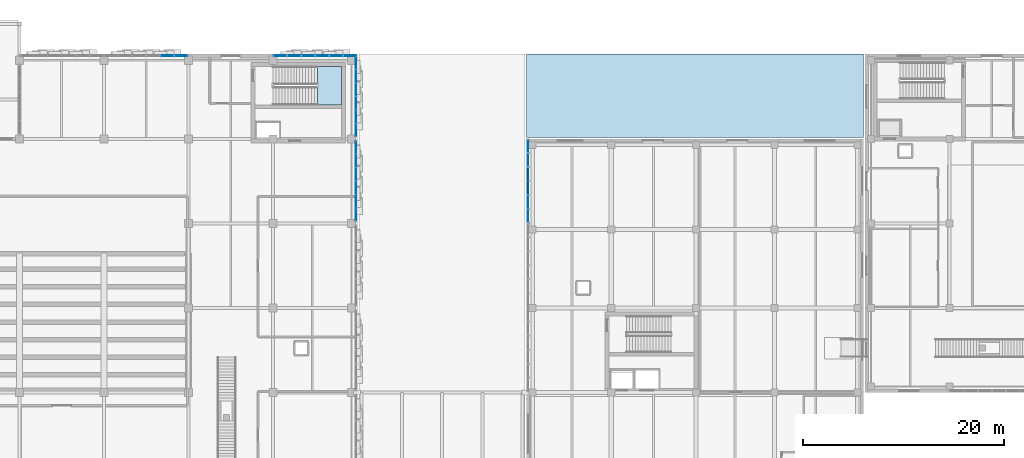
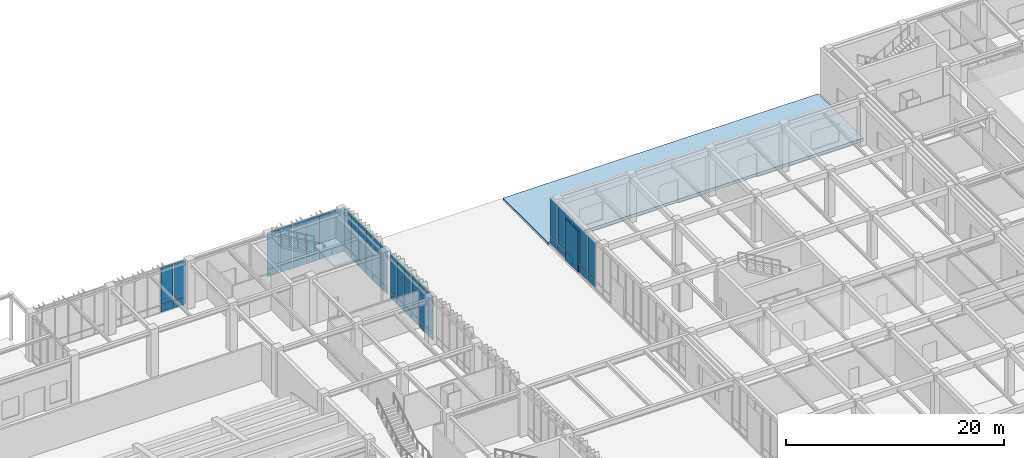
# One storey, part 87 of 122: 53 plates, 2 slabs, 6 elements without a shape of their own.
"""IFC4 building model written with IfcOpenShell, lengths in metres."""

import ifcopenshell
import ifcopenshell.guid

model = None  # the IFC model being written
_history = None  # IfcOwnerHistory: only IFC2X3 demands one
_inside = {}  # id of a spatial element -> (the spatial element, [elements in it])
_under = {}  # id of a project, library or spatial element -> (it, [spatial elements below it])
_declared = {}  # id of a project -> (the project, [libraries it declares])
_typed = {}  # id of a type object -> (the type object, [elements of that type])
_made_of = {}  # id of a material, layer set ... -> (it, [elements and type objects made of it])


def new_model(schema):
    """Start an empty IFC model of exactly this schema.

    Asked for "IFC4X3", IfcOpenShell would pick the latest addendum, in which some entities
    have other attributes; the version numbers below select the first issue.
    IFC2X3 requires an IfcOwnerHistory on every rooted entity: one is made here for all.
    """
    global model, _history
    if schema == "IFC4X3":
        model = ifcopenshell.file(schema_version=(4, 3, 0, 0))
    else:
        model = ifcopenshell.file(schema=schema)
    _inside.clear()
    _under.clear()
    _declared.clear()
    _typed.clear()
    _made_of.clear()
    _history = None
    if model.schema == "IFC2X3":
        org = make("IfcOrganization", Name="unknown")
        user = make(
            "IfcPersonAndOrganization",
            ThePerson=make("IfcPerson", FamilyName="unknown"),
            TheOrganization=org,
        )
        app = make(
            "IfcApplication",
            ApplicationDeveloper=org,
            Version="unknown",
            ApplicationFullName="unknown",
            ApplicationIdentifier="unknown",
        )
        _history = make(
            "IfcOwnerHistory",
            OwningUser=user,
            OwningApplication=app,
            ChangeAction="ADDED",
            CreationDate=0,
        )
    return model


def make(cls, **values):
    """One entity of the class cls with the attributes given. An attribute that is None is left unset."""
    return model.create_entity(
        cls, **{name: value for name, value in values.items() if value is not None}
    )


def rooted(cls, **values):
    """An entity with a GlobalId (a new one), such as an element, a storey or a relation."""
    return make(cls, GlobalId=ifcopenshell.guid.new(), OwnerHistory=_history, **values)


def si_unit(unit_type, name, prefix=None):
    """IfcSIUnit, for example si_unit("LENGTHUNIT", "METRE", prefix="MILLI")."""
    return make("IfcSIUnit", UnitType=unit_type, Prefix=prefix, Name=name)


def assignment(units):
    """IfcUnitAssignment: the units of a project."""
    return None if units is None else make("IfcUnitAssignment", Units=units)


def point(xyz):
    """IfcCartesianPoint."""
    return None if xyz is None else make("IfcCartesianPoint", Coordinates=xyz)


def direction(xyz):
    """IfcDirection."""
    return None if xyz is None else make("IfcDirection", DirectionRatios=xyz)


def frame(location, z_axis=None, x_axis=None):
    """IfcAxis2Placement3D, a coordinate frame: its origin and axes. An axis left out is left unset."""
    return make(
        "IfcAxis2Placement3D",
        Location=point(location),
        Axis=direction(z_axis),
        RefDirection=direction(x_axis),
    )


def frame_2d(location, x_axis=None):
    """IfcAxis2Placement2D, a coordinate frame in the plane: its origin and x axis."""
    return make(
        "IfcAxis2Placement2D", Location=point(location), RefDirection=direction(x_axis)
    )


def origin():
    """The frame at (0, 0, 0) with its axes left unset."""
    return frame((0.0, 0.0, 0.0))


def origin_2d():
    """The frame at (0, 0) in the plane with its x axis left unset."""
    return frame_2d((0.0, 0.0))


def place(relative_to, where):
    """IfcLocalPlacement: puts the frame where relative to a parent placement (None: the world)."""
    return make(
        "IfcLocalPlacement", PlacementRelTo=relative_to, RelativePlacement=where
    )


def context(
    kind, dimensions, precision=None, world=None, true_north=None, identifier=None
):
    """IfcGeometricRepresentationContext, for example the 3D "Model" context."""
    return make(
        "IfcGeometricRepresentationContext",
        ContextIdentifier=identifier,
        ContextType=kind,
        CoordinateSpaceDimension=dimensions,
        Precision=precision,
        WorldCoordinateSystem=world,
        TrueNorth=true_north,
    )


def subcontext(parent, identifier, kind, view, scale=None):
    """IfcGeometricRepresentationSubContext, for example "Body" below "Model"."""
    return make(
        "IfcGeometricRepresentationSubContext",
        ContextIdentifier=identifier,
        ContextType=kind,
        ParentContext=parent,
        TargetScale=scale,
        TargetView=view,
    )


def project(units=None, contexts=None):
    """IfcProject with its units and contexts."""
    return rooted(
        "IfcProject",
        Name="project",
        RepresentationContexts=contexts,
        UnitsInContext=assignment(units),
    )


def spatial(cls, under=None, at=None, **own):
    """A site, building, storey or space (cls), placed at a placement, below another one or the project."""
    s = rooted(cls, ObjectPlacement=at, **own)
    if under is not None:
        _under.setdefault(under.id(), (under, []))[1].append(s)
    return s


def polyline(points):
    """IfcPolyline through the points."""
    return make("IfcPolyline", Points=[point(p) for p in points])


def profile(cls, at=None, kind="AREA", **sizes):
    """A parametric profile (cls). Its sizes go by their IFC names, for example OverallWidth=200.0."""
    return make(cls, ProfileType=kind, Position=at, **sizes)


def rectangle(**sizes):
    """IfcRectangleProfileDef."""
    return profile("IfcRectangleProfileDef", **sizes)


def outline(outer, holes=None, kind="AREA"):
    """IfcArbitraryClosedProfileDef: a profile drawn as a closed curve; with holes, ...WithVoids."""
    if holes is None:
        return make("IfcArbitraryClosedProfileDef", ProfileType=kind, OuterCurve=outer)
    return make(
        "IfcArbitraryProfileDefWithVoids",
        ProfileType=kind,
        OuterCurve=outer,
        InnerCurves=holes,
    )


def extrude(swept, where, along, depth):
    """IfcExtrudedAreaSolid: the profile swept, set in the frame where, extruded along a direction by depth."""
    return make(
        "IfcExtrudedAreaSolid",
        SweptArea=swept,
        Position=where,
        ExtrudedDirection=direction(along),
        Depth=depth,
    )


def shape(context_of_items, identifier, shape_type, items):
    """IfcShapeRepresentation: the items that make up one representation, for example the "Body"."""
    return make(
        "IfcShapeRepresentation",
        ContextOfItems=context_of_items,
        RepresentationIdentifier=identifier,
        RepresentationType=shape_type,
        Items=items,
    )


def material(Name=None, Category=None):
    """IfcMaterial."""
    return make("IfcMaterial", Name=Name, Category=Category)


def layer(
    of_material, thickness, ventilated=None, Name=None, Category=None, Priority=None
):
    """IfcMaterialLayer: one layer of a wall or slab, of a material (None: an air gap)."""
    return make(
        "IfcMaterialLayer",
        Material=of_material,
        LayerThickness=thickness,
        IsVentilated=ventilated,
        Name=Name,
        Category=Category,
        Priority=Priority,
    )


def layer_set(layers, Name=None):
    """IfcMaterialLayerSet."""
    return make("IfcMaterialLayerSet", MaterialLayers=layers, LayerSetName=Name)


def made_of(thing, what):
    """Note that an element or type object is made of a material, layer set ...; save() writes the relation."""
    if what is not None:
        _made_of.setdefault(what.id(), (what, []))[1].append(thing)
    return thing


def type_object(cls, material=None, **own):
    """A type object (cls), such as IfcWallType, which elements share."""
    return made_of(rooted(cls, **own), material)


def element(
    cls,
    number,
    at=None,
    inside=None,
    cuts=None,
    type_object=None,
    material=None,
    context=None,
    identifier="Body",
    shape_type=None,
    held_by="IfcProductDefinitionShape",
    body=None,
    shapes=None,
    **own,
):
    """One element of the class cls, such as IfcWall. Its Tag is "e" and its number.

    at: its placement. inside: the storey or other place that contains it. cuts: it is an
    opening in that element (IfcRelVoidsElement). A single representation is given by context,
    identifier, shape_type and body (its items); several are given by shapes. held_by: the class
    of the entity that holds the representations. save() writes the other relations.
    """
    e = rooted(cls, Tag="e%d" % number, ObjectPlacement=at, **own)
    if body is not None:
        shapes = [shape(context, identifier, shape_type, body)]
    if shapes is not None:
        e.Representation = make(held_by, Representations=shapes)
    if inside is not None:
        _inside.setdefault(inside.id(), (inside, []))[1].append(e)
    if cuts is not None:
        rooted(
            "IfcRelVoidsElement", RelatingBuildingElement=cuts, RelatedOpeningElement=e
        )
    if type_object is not None:
        _typed.setdefault(type_object.id(), (type_object, []))[1].append(e)
    return made_of(e, material)


def aggregate(whole, parts):
    """IfcRelAggregates: a whole, such as a stair, and the parts it consists of."""
    return rooted("IfcRelAggregates", RelatingObject=whole, RelatedObjects=parts)


def save(model, path):
    """Write the relations noted so far, then the file.

    IfcRelAggregates (storeys below a building ...), IfcRelContainedInSpatialStructure (elements
    in a storey), IfcRelDefinesByType, IfcRelAssociatesMaterial and IfcRelDeclares: one each for
    every whole, place, type object, material and project.
    """
    for whole, parts in _under.values():
        aggregate(whole, parts)
    for where, things in _inside.values():
        rooted(
            "IfcRelContainedInSpatialStructure",
            RelatedElements=things,
            RelatingStructure=where,
        )
    for kind, things in _typed.values():
        rooted("IfcRelDefinesByType", RelatedObjects=things, RelatingType=kind)
    for what, things in _made_of.values():
        rooted("IfcRelAssociatesMaterial", RelatedObjects=things, RelatingMaterial=what)
    for by, libraries in _declared.values():
        rooted("IfcRelDeclares", RelatingContext=by, RelatedDefinitions=libraries)
    model.write(path)


model = new_model("IFC4")

# Units and contexts
model_context = context("Model", 3, precision=1e-05, world=origin(), true_north=direction((0.0, 1.0)))
body_context = subcontext(model_context, "Body", "Model", "MODEL_VIEW")
ifc_project = project(units=[si_unit("LENGTHUNIT", "METRE"), si_unit("AREAUNIT", "SQUARE_METRE"), si_unit("VOLUMEUNIT", "CUBIC_METRE"), si_unit("PLANEANGLEUNIT", "RADIAN"), si_unit("MASSUNIT", "GRAM", prefix="KILO")], contexts=[model_context])

# Site, building, storey
site_placement = place(None, origin())
site = spatial("IfcSite", under=ifc_project, at=site_placement, CompositionType="ELEMENT")
building_placement = place(site_placement, origin())
building = spatial("IfcBuilding", under=site, at=building_placement, Name="Zayran Congress Hotel", CompositionType="ELEMENT")
storey_placement = place(building_placement, origin())
storey = spatial("IfcBuildingStorey", under=building, at=storey_placement, Name="L00", CompositionType="ELEMENT", Elevation=0.0)

# Slab
ifc_material_1 = material(Name="Concrete C32/40", Category="concrete")
ifc_layer_1 = layer(ifc_material_1, 0.320068359375)
ifc_layer_set_1 = layer_set([ifc_layer_1], Name="Concrete C32/40")
slab_type_1 = type_object("IfcSlabType", Name="SL-PD-320", PredefinedType="FLOOR", material=ifc_layer_set_1)
slab_1_placement = place(storey_placement, frame((0.0, 0.0, -0.320068359375)))
element("IfcSlab", 1, at=slab_1_placement, inside=storey, type_object=slab_type_1, Name="North Court Grade Paving Slab", PredefinedType="BASESLAB", context=body_context, shape_type="SweptSolid", body=[
    extrude(outline(polyline([(109.199951171875, 109.75), (142.64990234375, 109.75), (142.64990234375, 118.0), (109.199951171875, 118.0), (109.199951171875, 109.75)])), origin(), (0.0, 0.0, 1.0), 0.320068359375),
])

# Plate
ifc_material_2 = material(Name="Ajlun reconstituted limestone claustra", Category="masonry")
ifc_layer_2 = layer(ifc_material_2, 0.139892578125)
ifc_layer_set_2 = layer_set([ifc_layer_2], Name="Ajlun reconstituted limestone claustra")
plate_type_1 = type_object("IfcPlateType", Name="TP-CLS-01", PredefinedType="USERDEFINED", material=ifc_layer_set_2)
plate_1_placement = place(storey_placement, frame((109.280029296875, 105.408935546875, 0.0), z_axis=(0.0, 0.0, 1.0), x_axis=(0.0, 1.0, 0.0)))
element("IfcPlate", 2, at=plate_1_placement, inside=storey, type_object=plate_type_1, Name="Pierced Claustra Screen 16", ObjectType="CLAUSTRA SCREEN", PredefinedType="USERDEFINED", context=body_context, shape_type="SweptSolid", body=[
    extrude(rectangle(XDim=2.39990234375, YDim=0.139892578125, at=origin_2d()), origin(), (0.0, 0.0, 1.0), 4.60009765625),
])

# Curtain wall, plates
ifc_material_3 = material(Name="Anodised aluminium and low-E insulated glass", Category="aluminium")
ifc_layer_3 = layer(ifc_material_3, 0.179931640625)
ifc_layer_set_3 = layer_set([ifc_layer_3], Name="Anodised aluminium and low-E insulated glass")
curtain_wall_type_1 = type_object("IfcCurtainWallType", Name="CW-V1N-L00-CW-22-8360-5080", PredefinedType="USERDEFINED", material=ifc_layer_set_3)
curtain_wall_1_placement = place(storey_placement, origin())
curtain_wall_1 = element("IfcCurtainWall", 3, at=curtain_wall_1_placement, inside=storey, type_object=curtain_wall_type_1, Name="CW-V1N-L00-7", ObjectType="CURTAIN WALL", PredefinedType="USERDEFINED")
ifc_layer_4 = layer(ifc_material_3, 0.028076171875)
ifc_layer_set_4 = layer_set([ifc_layer_4], Name="Anodised aluminium and low-E insulated glass")
plate_type_2 = type_object("IfcPlateType", Name="CWP-GL-1273-4150", PredefinedType="CURTAIN_PANEL", material=ifc_layer_set_4)
plate_2_placement = place(storey_placement, frame((74.86328125, 117.85009765625, 0.8701171875), z_axis=(0.0, 0.0, 1.0), x_axis=(1.0, 0.0, 0.0)))
plate_2 = element("IfcPlate", 4, at=plate_2_placement, type_object=plate_type_2, Name="CW-22 Glazed Panel 1", PredefinedType="CURTAIN_PANEL", context=body_context, shape_type="SweptSolid", body=[
    extrude(rectangle(XDim=1.273193359375, YDim=0.028076171875, at=origin_2d()), origin(), (0.0, 0.0, 1.0), 4.14990234375),
])
plate_3_placement = place(storey_placement, frame((73.489990234375, 117.85009765625, 0.8701171875), z_axis=(0.0, 0.0, 1.0), x_axis=(1.0, 0.0, 0.0)))
plate_3 = element("IfcPlate", 5, at=plate_3_placement, type_object=plate_type_2, Name="CW-22 Glazed Panel 2", PredefinedType="CURTAIN_PANEL", context=body_context, shape_type="SweptSolid", body=[
    extrude(rectangle(XDim=1.313232421875, YDim=0.028076171875, at=origin_2d()), origin(), (0.0, 0.0, 1.0), 4.14990234375),
])

ifc_layer_5 = layer(ifc_material_3, 0.179931640625)
ifc_layer_set_5 = layer_set([ifc_layer_5], Name="Anodised aluminium and low-E insulated glass")
curtain_wall_type_2 = type_object("IfcCurtainWallType", Name="CW-V1N-L00-CW-21-8360-5080", PredefinedType="USERDEFINED", material=ifc_layer_set_5)
curtain_wall_2_placement = place(storey_placement, origin())
curtain_wall_2 = element("IfcCurtainWall", 6, at=curtain_wall_2_placement, inside=storey, type_object=curtain_wall_type_2, Name="CW-V1N-L00-9", ObjectType="CURTAIN WALL", PredefinedType="USERDEFINED")
plate_4_placement = place(storey_placement, frame((91.663330078125, 117.85009765625, 0.8701171875), z_axis=(0.0, 0.0, 1.0), x_axis=(1.0, 0.0, 0.0)))
plate_4 = element("IfcPlate", 7, at=plate_4_placement, type_object=plate_type_2, Name="CW-21 Glazed Panel 1", PredefinedType="CURTAIN_PANEL", context=body_context, shape_type="SweptSolid", body=[
    extrude(rectangle(XDim=1.273193359375, YDim=0.028076171875, at=origin_2d()), origin(), (0.0, 0.0, 1.0), 4.14990234375),
])
plate_5_placement = place(storey_placement, frame((90.2900390625, 117.85009765625, 0.8701171875), z_axis=(0.0, 0.0, 1.0), x_axis=(1.0, 0.0, 0.0)))
plate_5 = element("IfcPlate", 8, at=plate_5_placement, type_object=plate_type_2, Name="CW-21 Glazed Panel 2", PredefinedType="CURTAIN_PANEL", context=body_context, shape_type="SweptSolid", body=[
    extrude(rectangle(XDim=1.313232421875, YDim=0.028076171875, at=origin_2d()), origin(), (0.0, 0.0, 1.0), 4.14990234375),
])
plate_6_placement = place(storey_placement, frame((88.896728515625, 117.85009765625, 0.8701171875), z_axis=(0.0, 0.0, 1.0), x_axis=(1.0, 0.0, 0.0)))
plate_6 = element("IfcPlate", 9, at=plate_6_placement, type_object=plate_type_2, Name="CW-21 Glazed Panel 3", PredefinedType="CURTAIN_PANEL", context=body_context, shape_type="SweptSolid", body=[
    extrude(rectangle(XDim=1.313232421875, YDim=0.028076171875, at=origin_2d()), origin(), (0.0, 0.0, 1.0), 4.14990234375),
])
plate_7_placement = place(storey_placement, frame((87.50341796875, 117.85009765625, 0.8701171875), z_axis=(0.0, 0.0, 1.0), x_axis=(1.0, 0.0, 0.0)))
plate_7 = element("IfcPlate", 10, at=plate_7_placement, type_object=plate_type_2, Name="CW-21 Glazed Panel 4", PredefinedType="CURTAIN_PANEL", context=body_context, shape_type="SweptSolid", body=[
    extrude(rectangle(XDim=1.313232421875, YDim=0.028076171875, at=origin_2d()), origin(), (0.0, 0.0, 1.0), 4.14990234375),
])
plate_8_placement = place(storey_placement, frame((86.110107421875, 117.85009765625, 0.8701171875), z_axis=(0.0, 0.0, 1.0), x_axis=(1.0, 0.0, 0.0)))
plate_8 = element("IfcPlate", 11, at=plate_8_placement, type_object=plate_type_2, Name="CW-21 Glazed Panel 5", PredefinedType="CURTAIN_PANEL", context=body_context, shape_type="SweptSolid", body=[
    extrude(rectangle(XDim=1.313232421875, YDim=0.028076171875, at=origin_2d()), origin(), (0.0, 0.0, 1.0), 4.14990234375),
])
plate_9_placement = place(storey_placement, frame((84.73681640625, 117.85009765625, 0.8701171875), z_axis=(0.0, 0.0, 1.0), x_axis=(1.0, 0.0, 0.0)))
plate_9 = element("IfcPlate", 12, at=plate_9_placement, type_object=plate_type_2, Name="CW-21 Glazed Panel 6", PredefinedType="CURTAIN_PANEL", context=body_context, shape_type="SweptSolid", body=[
    extrude(rectangle(XDim=1.273193359375, YDim=0.028076171875, at=origin_2d()), origin(), (0.0, 0.0, 1.0), 4.14990234375),
])

# Plate
ifc_material_4 = material(Name="Insulated warm bronze aluminium spandrel panel", Category="aluminium")
ifc_layer_6 = layer(ifc_material_4, 0.06005859375)
ifc_layer_set_6 = layer_set([ifc_layer_6], Name="Insulated warm bronze aluminium spandrel panel")
plate_type_3 = type_object("IfcPlateType", Name="CWP-SP-1273-750", PredefinedType="CURTAIN_PANEL", material=ifc_layer_set_6)
plate_10_placement = place(storey_placement, frame((74.86328125, 117.85009765625, 0.06005859375), z_axis=(0.0, 0.0, 1.0), x_axis=(1.0, 0.0, 0.0)))
plate_10 = element("IfcPlate", 13, at=plate_10_placement, type_object=plate_type_3, Name="CW-22 Spandrel Panel 1", PredefinedType="CURTAIN_PANEL", context=body_context, shape_type="SweptSolid", body=[
    extrude(rectangle(XDim=1.273193359375, YDim=0.06005859375, at=origin_2d()), origin(), (0.0, 0.0, 1.0), 0.75),
])

plate_11_placement = place(storey_placement, frame((73.489990234375, 117.85009765625, 0.06005859375), z_axis=(0.0, 0.0, 1.0), x_axis=(1.0, 0.0, 0.0)))
plate_11 = element("IfcPlate", 14, at=plate_11_placement, type_object=plate_type_3, Name="CW-22 Spandrel Panel 2", PredefinedType="CURTAIN_PANEL", context=body_context, shape_type="SweptSolid", body=[
    extrude(rectangle(XDim=1.313232421875, YDim=0.06005859375, at=origin_2d()), origin(), (0.0, 0.0, 1.0), 0.75),
])

aggregate(curtain_wall_1, [plate_10, plate_2, plate_11, plate_3])

plate_12_placement = place(storey_placement, frame((91.663330078125, 117.85009765625, 0.06005859375), z_axis=(0.0, 0.0, 1.0), x_axis=(1.0, 0.0, 0.0)))
plate_12 = element("IfcPlate", 15, at=plate_12_placement, type_object=plate_type_3, Name="CW-21 Spandrel Panel 1", PredefinedType="CURTAIN_PANEL", context=body_context, shape_type="SweptSolid", body=[
    extrude(rectangle(XDim=1.273193359375, YDim=0.06005859375, at=origin_2d()), origin(), (0.0, 0.0, 1.0), 0.75),
])

plate_13_placement = place(storey_placement, frame((90.2900390625, 117.85009765625, 0.06005859375), z_axis=(0.0, 0.0, 1.0), x_axis=(1.0, 0.0, 0.0)))
plate_13 = element("IfcPlate", 16, at=plate_13_placement, type_object=plate_type_3, Name="CW-21 Spandrel Panel 2", PredefinedType="CURTAIN_PANEL", context=body_context, shape_type="SweptSolid", body=[
    extrude(rectangle(XDim=1.313232421875, YDim=0.06005859375, at=origin_2d()), origin(), (0.0, 0.0, 1.0), 0.75),
])

plate_14_placement = place(storey_placement, frame((88.896728515625, 117.85009765625, 0.06005859375), z_axis=(0.0, 0.0, 1.0), x_axis=(1.0, 0.0, 0.0)))
plate_14 = element("IfcPlate", 17, at=plate_14_placement, type_object=plate_type_3, Name="CW-21 Spandrel Panel 3", PredefinedType="CURTAIN_PANEL", context=body_context, shape_type="SweptSolid", body=[
    extrude(rectangle(XDim=1.313232421875, YDim=0.06005859375, at=origin_2d()), origin(), (0.0, 0.0, 1.0), 0.75),
])

plate_15_placement = place(storey_placement, frame((87.50341796875, 117.85009765625, 0.06005859375), z_axis=(0.0, 0.0, 1.0), x_axis=(1.0, 0.0, 0.0)))
plate_15 = element("IfcPlate", 18, at=plate_15_placement, type_object=plate_type_3, Name="CW-21 Spandrel Panel 4", PredefinedType="CURTAIN_PANEL", context=body_context, shape_type="SweptSolid", body=[
    extrude(rectangle(XDim=1.313232421875, YDim=0.06005859375, at=origin_2d()), origin(), (0.0, 0.0, 1.0), 0.75),
])

plate_16_placement = place(storey_placement, frame((86.110107421875, 117.85009765625, 0.06005859375), z_axis=(0.0, 0.0, 1.0), x_axis=(1.0, 0.0, 0.0)))
plate_16 = element("IfcPlate", 19, at=plate_16_placement, type_object=plate_type_3, Name="CW-21 Spandrel Panel 5", PredefinedType="CURTAIN_PANEL", context=body_context, shape_type="SweptSolid", body=[
    extrude(rectangle(XDim=1.313232421875, YDim=0.06005859375, at=origin_2d()), origin(), (0.0, 0.0, 1.0), 0.75),
])

plate_17_placement = place(storey_placement, frame((84.73681640625, 117.85009765625, 0.06005859375), z_axis=(0.0, 0.0, 1.0), x_axis=(1.0, 0.0, 0.0)))
plate_17 = element("IfcPlate", 20, at=plate_17_placement, type_object=plate_type_3, Name="CW-21 Spandrel Panel 6", PredefinedType="CURTAIN_PANEL", context=body_context, shape_type="SweptSolid", body=[
    extrude(rectangle(XDim=1.273193359375, YDim=0.06005859375, at=origin_2d()), origin(), (0.0, 0.0, 1.0), 0.75),
])

aggregate(curtain_wall_2, [plate_12, plate_4, plate_13, plate_5, plate_14, plate_6, plate_15, plate_7, plate_16, plate_8, plate_17, plate_9])

# Curtain wall, plates
ifc_layer_7 = layer(ifc_material_3, 0.179931640625)
ifc_layer_set_7 = layer_set([ifc_layer_7], Name="Anodised aluminium and low-E insulated glass")
curtain_wall_type_3 = type_object("IfcCurtainWallType", Name="CW-V1E-L00-CW-41-8040-5080", PredefinedType="USERDEFINED", material=ifc_layer_set_7)
curtain_wall_3_placement = place(storey_placement, origin())
curtain_wall_3 = element("IfcCurtainWall", 21, at=curtain_wall_3_placement, inside=storey, type_object=curtain_wall_type_3, Name="CW-V1E-L00-4", ObjectType="CURTAIN WALL", PredefinedType="USERDEFINED")
ifc_layer_8 = layer(ifc_material_3, 0.028076171875)
ifc_layer_set_8 = layer_set([ifc_layer_8], Name="Anodised aluminium and low-E insulated glass")
plate_type_4 = type_object("IfcPlateType", Name="CWP-GL-1220-4150", PredefinedType="CURTAIN_PANEL", material=ifc_layer_set_8)
plate_18_placement = place(storey_placement, frame((92.25, 102.070068359375, 0.8701171875), z_axis=(0.0, 0.0, 1.0), x_axis=(0.0, 1.0, 0.0)))
plate_18 = element("IfcPlate", 22, at=plate_18_placement, type_object=plate_type_4, Name="CW-41 Glazed Panel 1", PredefinedType="CURTAIN_PANEL", context=body_context, shape_type="SweptSolid", body=[
    extrude(rectangle(XDim=1.219970703125, YDim=0.028076171875, at=origin_2d()), origin(), (0.0, 0.0, 1.0), 4.14990234375),
])
plate_19_placement = place(storey_placement, frame((92.25, 103.389892578125, 0.8701171875), z_axis=(0.0, 0.0, 1.0), x_axis=(0.0, 1.0, 0.0)))
plate_19 = element("IfcPlate", 23, at=plate_19_placement, type_object=plate_type_4, Name="CW-41 Glazed Panel 2", PredefinedType="CURTAIN_PANEL", context=body_context, shape_type="SweptSolid", body=[
    extrude(rectangle(XDim=1.260009765625, YDim=0.028076171875, at=origin_2d()), origin(), (0.0, 0.0, 1.0), 4.14990234375),
])
plate_20_placement = place(storey_placement, frame((92.25, 104.72998046875, 0.8701171875), z_axis=(0.0, 0.0, 1.0), x_axis=(0.0, 1.0, 0.0)))
plate_20 = element("IfcPlate", 24, at=plate_20_placement, type_object=plate_type_4, Name="CW-41 Glazed Panel 3", PredefinedType="CURTAIN_PANEL", context=body_context, shape_type="SweptSolid", body=[
    extrude(rectangle(XDim=1.260009765625, YDim=0.028076171875, at=origin_2d()), origin(), (0.0, 0.0, 1.0), 4.14990234375),
])
plate_21_placement = place(storey_placement, frame((92.25, 106.070068359375, 0.8701171875), z_axis=(0.0, 0.0, 1.0), x_axis=(0.0, 1.0, 0.0)))
plate_21 = element("IfcPlate", 25, at=plate_21_placement, type_object=plate_type_4, Name="CW-41 Glazed Panel 4", PredefinedType="CURTAIN_PANEL", context=body_context, shape_type="SweptSolid", body=[
    extrude(rectangle(XDim=1.260009765625, YDim=0.028076171875, at=origin_2d()), origin(), (0.0, 0.0, 1.0), 4.14990234375),
])
plate_22_placement = place(storey_placement, frame((92.25, 107.409912109375, 0.8701171875), z_axis=(0.0, 0.0, 1.0), x_axis=(0.0, 1.0, 0.0)))
plate_22 = element("IfcPlate", 26, at=plate_22_placement, type_object=plate_type_4, Name="CW-41 Glazed Panel 5", PredefinedType="CURTAIN_PANEL", context=body_context, shape_type="SweptSolid", body=[
    extrude(rectangle(XDim=1.260009765625, YDim=0.028076171875, at=origin_2d()), origin(), (0.0, 0.0, 1.0), 4.14990234375),
])
plate_23_placement = place(storey_placement, frame((92.25, 108.72998046875, 0.8701171875), z_axis=(0.0, 0.0, 1.0), x_axis=(0.0, 1.0, 0.0)))
plate_23 = element("IfcPlate", 27, at=plate_23_placement, type_object=plate_type_4, Name="CW-41 Glazed Panel 6", PredefinedType="CURTAIN_PANEL", context=body_context, shape_type="SweptSolid", body=[
    extrude(rectangle(XDim=1.219970703125, YDim=0.028076171875, at=origin_2d()), origin(), (0.0, 0.0, 1.0), 4.14990234375),
])

ifc_layer_9 = layer(ifc_material_3, 0.179931640625)
ifc_layer_set_9 = layer_set([ifc_layer_9], Name="Anodised aluminium and low-E insulated glass")
curtain_wall_type_4 = type_object("IfcCurtainWallType", Name="CW-V1E-L00-CW-42-8040-5080", PredefinedType="USERDEFINED", material=ifc_layer_set_9)
curtain_wall_4_placement = place(storey_placement, origin())
curtain_wall_4 = element("IfcCurtainWall", 28, at=curtain_wall_4_placement, inside=storey, type_object=curtain_wall_type_4, Name="CW-V1E-L00-5", ObjectType="CURTAIN WALL", PredefinedType="USERDEFINED")
plate_24_placement = place(storey_placement, frame((92.25, 110.469970703125, 0.8701171875), z_axis=(0.0, 0.0, 1.0), x_axis=(0.0, 1.0, 0.0)))
plate_24 = element("IfcPlate", 29, at=plate_24_placement, type_object=plate_type_4, Name="CW-42 Glazed Panel 1", PredefinedType="CURTAIN_PANEL", context=body_context, shape_type="SweptSolid", body=[
    extrude(rectangle(XDim=1.219970703125, YDim=0.028076171875, at=origin_2d()), origin(), (0.0, 0.0, 1.0), 4.14990234375),
])
plate_25_placement = place(storey_placement, frame((92.25, 111.7900390625, 0.8701171875), z_axis=(0.0, 0.0, 1.0), x_axis=(0.0, 1.0, 0.0)))
plate_25 = element("IfcPlate", 30, at=plate_25_placement, type_object=plate_type_4, Name="CW-42 Glazed Panel 2", PredefinedType="CURTAIN_PANEL", context=body_context, shape_type="SweptSolid", body=[
    extrude(rectangle(XDim=1.260009765625, YDim=0.028076171875, at=origin_2d()), origin(), (0.0, 0.0, 1.0), 4.14990234375),
])
plate_26_placement = place(storey_placement, frame((92.25, 113.1298828125, 0.8701171875), z_axis=(0.0, 0.0, 1.0), x_axis=(0.0, 1.0, 0.0)))
plate_26 = element("IfcPlate", 31, at=plate_26_placement, type_object=plate_type_4, Name="CW-42 Glazed Panel 3", PredefinedType="CURTAIN_PANEL", context=body_context, shape_type="SweptSolid", body=[
    extrude(rectangle(XDim=1.260009765625, YDim=0.028076171875, at=origin_2d()), origin(), (0.0, 0.0, 1.0), 4.14990234375),
])
plate_27_placement = place(storey_placement, frame((92.25, 114.469970703125, 0.8701171875), z_axis=(0.0, 0.0, 1.0), x_axis=(0.0, 1.0, 0.0)))
plate_27 = element("IfcPlate", 32, at=plate_27_placement, type_object=plate_type_4, Name="CW-42 Glazed Panel 4", PredefinedType="CURTAIN_PANEL", context=body_context, shape_type="SweptSolid", body=[
    extrude(rectangle(XDim=1.260009765625, YDim=0.028076171875, at=origin_2d()), origin(), (0.0, 0.0, 1.0), 4.14990234375),
])
plate_28_placement = place(storey_placement, frame((92.25, 115.81005859375, 0.8701171875), z_axis=(0.0, 0.0, 1.0), x_axis=(0.0, 1.0, 0.0)))
plate_28 = element("IfcPlate", 33, at=plate_28_placement, type_object=plate_type_4, Name="CW-42 Glazed Panel 5", PredefinedType="CURTAIN_PANEL", context=body_context, shape_type="SweptSolid", body=[
    extrude(rectangle(XDim=1.260009765625, YDim=0.028076171875, at=origin_2d()), origin(), (0.0, 0.0, 1.0), 4.14990234375),
])
plate_29_placement = place(storey_placement, frame((92.25, 117.1298828125, 0.8701171875), z_axis=(0.0, 0.0, 1.0), x_axis=(0.0, 1.0, 0.0)))
plate_29 = element("IfcPlate", 34, at=plate_29_placement, type_object=plate_type_4, Name="CW-42 Glazed Panel 6", PredefinedType="CURTAIN_PANEL", context=body_context, shape_type="SweptSolid", body=[
    extrude(rectangle(XDim=1.219970703125, YDim=0.028076171875, at=origin_2d()), origin(), (0.0, 0.0, 1.0), 4.14990234375),
])

# Plate
ifc_layer_10 = layer(ifc_material_4, 0.06005859375)
ifc_layer_set_10 = layer_set([ifc_layer_10], Name="Insulated warm bronze aluminium spandrel panel")
plate_type_5 = type_object("IfcPlateType", Name="CWP-SP-1220-750", PredefinedType="CURTAIN_PANEL", material=ifc_layer_set_10)
plate_30_placement = place(storey_placement, frame((92.25, 102.070068359375, 0.06005859375), z_axis=(0.0, 0.0, 1.0), x_axis=(0.0, 1.0, 0.0)))
plate_30 = element("IfcPlate", 35, at=plate_30_placement, type_object=plate_type_5, Name="CW-41 Spandrel Panel 1", PredefinedType="CURTAIN_PANEL", context=body_context, shape_type="SweptSolid", body=[
    extrude(rectangle(XDim=1.219970703125, YDim=0.06005859375, at=origin_2d()), origin(), (0.0, 0.0, 1.0), 0.75),
])

plate_31_placement = place(storey_placement, frame((92.25, 103.389892578125, 0.06005859375), z_axis=(0.0, 0.0, 1.0), x_axis=(0.0, 1.0, 0.0)))
plate_31 = element("IfcPlate", 36, at=plate_31_placement, type_object=plate_type_5, Name="CW-41 Spandrel Panel 2", PredefinedType="CURTAIN_PANEL", context=body_context, shape_type="SweptSolid", body=[
    extrude(rectangle(XDim=1.260009765625, YDim=0.06005859375, at=origin_2d()), origin(), (0.0, 0.0, 1.0), 0.75),
])

plate_32_placement = place(storey_placement, frame((92.25, 104.72998046875, 0.06005859375), z_axis=(0.0, 0.0, 1.0), x_axis=(0.0, 1.0, 0.0)))
plate_32 = element("IfcPlate", 37, at=plate_32_placement, type_object=plate_type_5, Name="CW-41 Spandrel Panel 3", PredefinedType="CURTAIN_PANEL", context=body_context, shape_type="SweptSolid", body=[
    extrude(rectangle(XDim=1.260009765625, YDim=0.06005859375, at=origin_2d()), origin(), (0.0, 0.0, 1.0), 0.75),
])

plate_33_placement = place(storey_placement, frame((92.25, 106.070068359375, 0.06005859375), z_axis=(0.0, 0.0, 1.0), x_axis=(0.0, 1.0, 0.0)))
plate_33 = element("IfcPlate", 38, at=plate_33_placement, type_object=plate_type_5, Name="CW-41 Spandrel Panel 4", PredefinedType="CURTAIN_PANEL", context=body_context, shape_type="SweptSolid", body=[
    extrude(rectangle(XDim=1.260009765625, YDim=0.06005859375, at=origin_2d()), origin(), (0.0, 0.0, 1.0), 0.75),
])

plate_34_placement = place(storey_placement, frame((92.25, 107.409912109375, 0.06005859375), z_axis=(0.0, 0.0, 1.0), x_axis=(0.0, 1.0, 0.0)))
plate_34 = element("IfcPlate", 39, at=plate_34_placement, type_object=plate_type_5, Name="CW-41 Spandrel Panel 5", PredefinedType="CURTAIN_PANEL", context=body_context, shape_type="SweptSolid", body=[
    extrude(rectangle(XDim=1.260009765625, YDim=0.06005859375, at=origin_2d()), origin(), (0.0, 0.0, 1.0), 0.75),
])

plate_35_placement = place(storey_placement, frame((92.25, 108.72998046875, 0.06005859375), z_axis=(0.0, 0.0, 1.0), x_axis=(0.0, 1.0, 0.0)))
plate_35 = element("IfcPlate", 40, at=plate_35_placement, type_object=plate_type_5, Name="CW-41 Spandrel Panel 6", PredefinedType="CURTAIN_PANEL", context=body_context, shape_type="SweptSolid", body=[
    extrude(rectangle(XDim=1.219970703125, YDim=0.06005859375, at=origin_2d()), origin(), (0.0, 0.0, 1.0), 0.75),
])

aggregate(curtain_wall_3, [plate_30, plate_18, plate_31, plate_19, plate_32, plate_20, plate_33, plate_21, plate_34, plate_22, plate_35, plate_23])

plate_36_placement = place(storey_placement, frame((92.25, 110.469970703125, 0.06005859375), z_axis=(0.0, 0.0, 1.0), x_axis=(0.0, 1.0, 0.0)))
plate_36 = element("IfcPlate", 41, at=plate_36_placement, type_object=plate_type_5, Name="CW-42 Spandrel Panel 1", PredefinedType="CURTAIN_PANEL", context=body_context, shape_type="SweptSolid", body=[
    extrude(rectangle(XDim=1.219970703125, YDim=0.06005859375, at=origin_2d()), origin(), (0.0, 0.0, 1.0), 0.75),
])

plate_37_placement = place(storey_placement, frame((92.25, 111.7900390625, 0.06005859375), z_axis=(0.0, 0.0, 1.0), x_axis=(0.0, 1.0, 0.0)))
plate_37 = element("IfcPlate", 42, at=plate_37_placement, type_object=plate_type_5, Name="CW-42 Spandrel Panel 2", PredefinedType="CURTAIN_PANEL", context=body_context, shape_type="SweptSolid", body=[
    extrude(rectangle(XDim=1.260009765625, YDim=0.06005859375, at=origin_2d()), origin(), (0.0, 0.0, 1.0), 0.75),
])

plate_38_placement = place(storey_placement, frame((92.25, 113.1298828125, 0.06005859375), z_axis=(0.0, 0.0, 1.0), x_axis=(0.0, 1.0, 0.0)))
plate_38 = element("IfcPlate", 43, at=plate_38_placement, type_object=plate_type_5, Name="CW-42 Spandrel Panel 3", PredefinedType="CURTAIN_PANEL", context=body_context, shape_type="SweptSolid", body=[
    extrude(rectangle(XDim=1.260009765625, YDim=0.06005859375, at=origin_2d()), origin(), (0.0, 0.0, 1.0), 0.75),
])

plate_39_placement = place(storey_placement, frame((92.25, 114.469970703125, 0.06005859375), z_axis=(0.0, 0.0, 1.0), x_axis=(0.0, 1.0, 0.0)))
plate_39 = element("IfcPlate", 44, at=plate_39_placement, type_object=plate_type_5, Name="CW-42 Spandrel Panel 4", PredefinedType="CURTAIN_PANEL", context=body_context, shape_type="SweptSolid", body=[
    extrude(rectangle(XDim=1.260009765625, YDim=0.06005859375, at=origin_2d()), origin(), (0.0, 0.0, 1.0), 0.75),
])

plate_40_placement = place(storey_placement, frame((92.25, 115.81005859375, 0.06005859375), z_axis=(0.0, 0.0, 1.0), x_axis=(0.0, 1.0, 0.0)))
plate_40 = element("IfcPlate", 45, at=plate_40_placement, type_object=plate_type_5, Name="CW-42 Spandrel Panel 5", PredefinedType="CURTAIN_PANEL", context=body_context, shape_type="SweptSolid", body=[
    extrude(rectangle(XDim=1.260009765625, YDim=0.06005859375, at=origin_2d()), origin(), (0.0, 0.0, 1.0), 0.75),
])

plate_41_placement = place(storey_placement, frame((92.25, 117.1298828125, 0.06005859375), z_axis=(0.0, 0.0, 1.0), x_axis=(0.0, 1.0, 0.0)))
plate_41 = element("IfcPlate", 46, at=plate_41_placement, type_object=plate_type_5, Name="CW-42 Spandrel Panel 6", PredefinedType="CURTAIN_PANEL", context=body_context, shape_type="SweptSolid", body=[
    extrude(rectangle(XDim=1.219970703125, YDim=0.06005859375, at=origin_2d()), origin(), (0.0, 0.0, 1.0), 0.75),
])

aggregate(curtain_wall_4, [plate_36, plate_24, plate_37, plate_25, plate_38, plate_26, plate_39, plate_27, plate_40, plate_28, plate_41, plate_29])

# Curtain wall, plates
ifc_layer_11 = layer(ifc_material_3, 0.179931640625)
ifc_layer_set_11 = layer_set([ifc_layer_11], Name="Anodised aluminium and low-E insulated glass")
curtain_wall_type_5 = type_object("IfcCurtainWallType", Name="CW-V4W-L00-CW-52-8376-5100", PredefinedType="USERDEFINED", material=ifc_layer_set_11)
curtain_wall_5_placement = place(storey_placement, origin())
curtain_wall_5 = element("IfcCurtainWall", 47, at=curtain_wall_5_placement, inside=storey, type_object=curtain_wall_type_5, Name="CW-V4W-L00-7", ObjectType="CURTAIN WALL", PredefinedType="USERDEFINED")
ifc_layer_12 = layer(ifc_material_3, 0.028076171875)
ifc_layer_set_12 = layer_set([ifc_layer_12], Name="Anodised aluminium and low-E insulated glass")
plate_type_6 = type_object("IfcPlateType", Name="CWP-GL-1276-4170", PredefinedType="CURTAIN_PANEL", material=ifc_layer_set_12)
plate_42_placement = place(storey_placement, frame((109.35009765625, 108.882080078125, 0.8701171875), z_axis=(0.0, 0.0, 1.0), x_axis=(0.0, 1.0, 0.0)))
plate_42 = element("IfcPlate", 48, at=plate_42_placement, type_object=plate_type_6, Name="CW-52 Glazed Panel 1", PredefinedType="CURTAIN_PANEL", context=body_context, shape_type="SweptSolid", body=[
    extrude(rectangle(XDim=1.27587890625, YDim=0.028076171875, at=origin_2d()), origin(), (0.0, 0.0, 1.0), 4.169921875),
])
plate_43_placement = place(storey_placement, frame((109.35009765625, 107.506103515625, 0.8701171875), z_axis=(0.0, 0.0, 1.0), x_axis=(0.0, 1.0, 0.0)))
plate_43 = element("IfcPlate", 49, at=plate_43_placement, type_object=plate_type_6, Name="CW-52 Glazed Panel 2", PredefinedType="CURTAIN_PANEL", context=body_context, shape_type="SweptSolid", body=[
    extrude(rectangle(XDim=1.31591796875, YDim=0.028076171875, at=origin_2d()), origin(), (0.0, 0.0, 1.0), 4.169921875),
])
plate_44_placement = place(storey_placement, frame((109.35009765625, 106.110107421875, 0.8701171875), z_axis=(0.0, 0.0, 1.0), x_axis=(0.0, 1.0, 0.0)))
plate_44 = element("IfcPlate", 50, at=plate_44_placement, type_object=plate_type_6, Name="CW-52 Glazed Panel 3", PredefinedType="CURTAIN_PANEL", context=body_context, shape_type="SweptSolid", body=[
    extrude(rectangle(XDim=1.31591796875, YDim=0.028076171875, at=origin_2d()), origin(), (0.0, 0.0, 1.0), 4.169921875),
])
plate_45_placement = place(storey_placement, frame((109.35009765625, 104.714111328125, 0.8701171875), z_axis=(0.0, 0.0, 1.0), x_axis=(0.0, 1.0, 0.0)))
plate_45 = element("IfcPlate", 51, at=plate_45_placement, type_object=plate_type_6, Name="CW-52 Glazed Panel 4", PredefinedType="CURTAIN_PANEL", context=body_context, shape_type="SweptSolid", body=[
    extrude(rectangle(XDim=1.31591796875, YDim=0.028076171875, at=origin_2d()), origin(), (0.0, 0.0, 1.0), 4.169921875),
])
plate_46_placement = place(storey_placement, frame((109.35009765625, 103.318115234375, 0.8701171875), z_axis=(0.0, 0.0, 1.0), x_axis=(0.0, 1.0, 0.0)))
plate_46 = element("IfcPlate", 52, at=plate_46_placement, type_object=plate_type_6, Name="CW-52 Glazed Panel 5", PredefinedType="CURTAIN_PANEL", context=body_context, shape_type="SweptSolid", body=[
    extrude(rectangle(XDim=1.31591796875, YDim=0.028076171875, at=origin_2d()), origin(), (0.0, 0.0, 1.0), 4.169921875),
])
plate_47_placement = place(storey_placement, frame((109.35009765625, 101.94189453125, 0.8701171875), z_axis=(0.0, 0.0, 1.0), x_axis=(0.0, 1.0, 0.0)))
plate_47 = element("IfcPlate", 53, at=plate_47_placement, type_object=plate_type_6, Name="CW-52 Glazed Panel 6", PredefinedType="CURTAIN_PANEL", context=body_context, shape_type="SweptSolid", body=[
    extrude(rectangle(XDim=1.27587890625, YDim=0.028076171875, at=origin_2d()), origin(), (0.0, 0.0, 1.0), 4.169921875),
])
ifc_layer_13 = layer(ifc_material_4, 0.06005859375)
ifc_layer_set_13 = layer_set([ifc_layer_13], Name="Insulated warm bronze aluminium spandrel panel")
plate_type_7 = type_object("IfcPlateType", Name="CWP-SP-1276-750", PredefinedType="CURTAIN_PANEL", material=ifc_layer_set_13)
plate_48_placement = place(storey_placement, frame((109.35009765625, 108.882080078125, 0.06005859375), z_axis=(0.0, 0.0, 1.0), x_axis=(0.0, 1.0, 0.0)))
plate_48 = element("IfcPlate", 54, at=plate_48_placement, type_object=plate_type_7, Name="CW-52 Spandrel Panel 1", PredefinedType="CURTAIN_PANEL", context=body_context, shape_type="SweptSolid", body=[
    extrude(rectangle(XDim=1.27587890625, YDim=0.06005859375, at=origin_2d()), origin(), (0.0, 0.0, 1.0), 0.75),
])
plate_49_placement = place(storey_placement, frame((109.35009765625, 107.506103515625, 0.06005859375), z_axis=(0.0, 0.0, 1.0), x_axis=(0.0, 1.0, 0.0)))
plate_49 = element("IfcPlate", 55, at=plate_49_placement, type_object=plate_type_7, Name="CW-52 Spandrel Panel 2", PredefinedType="CURTAIN_PANEL", context=body_context, shape_type="SweptSolid", body=[
    extrude(rectangle(XDim=1.31591796875, YDim=0.06005859375, at=origin_2d()), origin(), (0.0, 0.0, 1.0), 0.75),
])
plate_50_placement = place(storey_placement, frame((109.35009765625, 106.110107421875, 0.06005859375), z_axis=(0.0, 0.0, 1.0), x_axis=(0.0, 1.0, 0.0)))
plate_50 = element("IfcPlate", 56, at=plate_50_placement, type_object=plate_type_7, Name="CW-52 Spandrel Panel 3", PredefinedType="CURTAIN_PANEL", context=body_context, shape_type="SweptSolid", body=[
    extrude(rectangle(XDim=1.31591796875, YDim=0.06005859375, at=origin_2d()), origin(), (0.0, 0.0, 1.0), 0.75),
])
plate_51_placement = place(storey_placement, frame((109.35009765625, 104.714111328125, 0.06005859375), z_axis=(0.0, 0.0, 1.0), x_axis=(0.0, 1.0, 0.0)))
plate_51 = element("IfcPlate", 57, at=plate_51_placement, type_object=plate_type_7, Name="CW-52 Spandrel Panel 4", PredefinedType="CURTAIN_PANEL", context=body_context, shape_type="SweptSolid", body=[
    extrude(rectangle(XDim=1.31591796875, YDim=0.06005859375, at=origin_2d()), origin(), (0.0, 0.0, 1.0), 0.75),
])
plate_52_placement = place(storey_placement, frame((109.35009765625, 103.318115234375, 0.06005859375), z_axis=(0.0, 0.0, 1.0), x_axis=(0.0, 1.0, 0.0)))
plate_52 = element("IfcPlate", 58, at=plate_52_placement, type_object=plate_type_7, Name="CW-52 Spandrel Panel 5", PredefinedType="CURTAIN_PANEL", context=body_context, shape_type="SweptSolid", body=[
    extrude(rectangle(XDim=1.31591796875, YDim=0.06005859375, at=origin_2d()), origin(), (0.0, 0.0, 1.0), 0.75),
])
plate_53_placement = place(storey_placement, frame((109.35009765625, 101.94189453125, 0.06005859375), z_axis=(0.0, 0.0, 1.0), x_axis=(0.0, 1.0, 0.0)))
plate_53 = element("IfcPlate", 59, at=plate_53_placement, type_object=plate_type_7, Name="CW-52 Spandrel Panel 6", PredefinedType="CURTAIN_PANEL", context=body_context, shape_type="SweptSolid", body=[
    extrude(rectangle(XDim=1.27587890625, YDim=0.06005859375, at=origin_2d()), origin(), (0.0, 0.0, 1.0), 0.75),
])
aggregate(curtain_wall_5, [plate_48, plate_42, plate_49, plate_43, plate_50, plate_44, plate_51, plate_45, plate_52, plate_46, plate_53, plate_47])

# Stair, slab
stair_type = type_object("IfcStairType", Name="TP-STR-1800-54", PredefinedType="USERDEFINED", material=ifc_material_1)
stair_placement = place(storey_placement, origin())
stair = element("IfcStair", 60, at=stair_placement, inside=storey, type_object=stair_type, Name="L00 ST-04", ObjectType="TWO_RETURN_STAIR", PredefinedType="USERDEFINED")
ifc_layer_14 = layer(ifc_material_1, 0.199951171875)
ifc_layer_set_14 = layer_set([ifc_layer_14], Name="Concrete C32/40")
slab_type_2 = type_object("IfcSlabType", Name="TP-LND-1800", PredefinedType="LANDING", material=ifc_layer_set_14)
slab_2_placement = place(storey_placement, frame((0.0, 0.0, 2.5)))
slab_2 = element("IfcSlab", 61, at=slab_2_placement, type_object=slab_type_2, Name="ST-04 landing 1", PredefinedType="LANDING", context=body_context, shape_type="SweptSolid", body=[
    extrude(outline(polyline([(88.425048828125, 112.9599609375), (90.800048828125, 112.9599609375), (90.800048828125, 116.800048828125), (88.425048828125, 116.800048828125), (88.425048828125, 112.9599609375)])), origin(), (0.0, 0.0, 1.0), 0.199951171875),
])
aggregate(stair, [slab_2])

save(model, "model.ifc")
